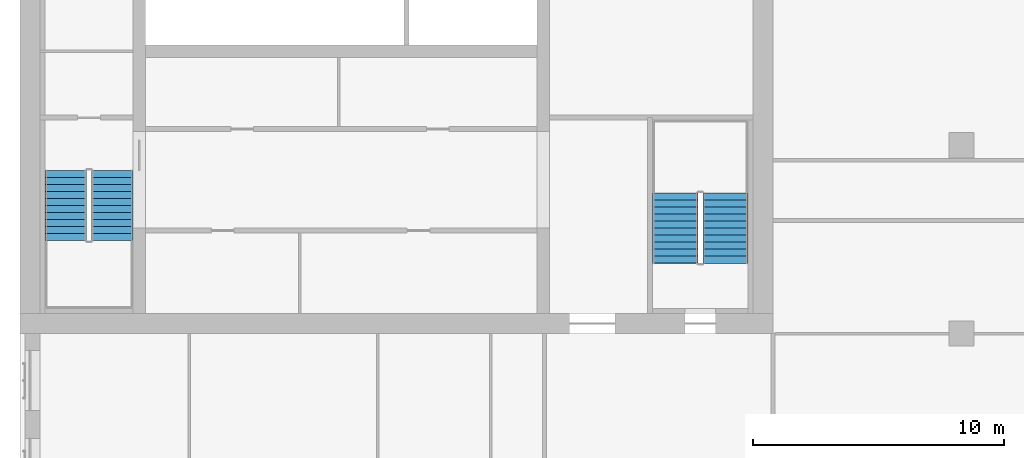
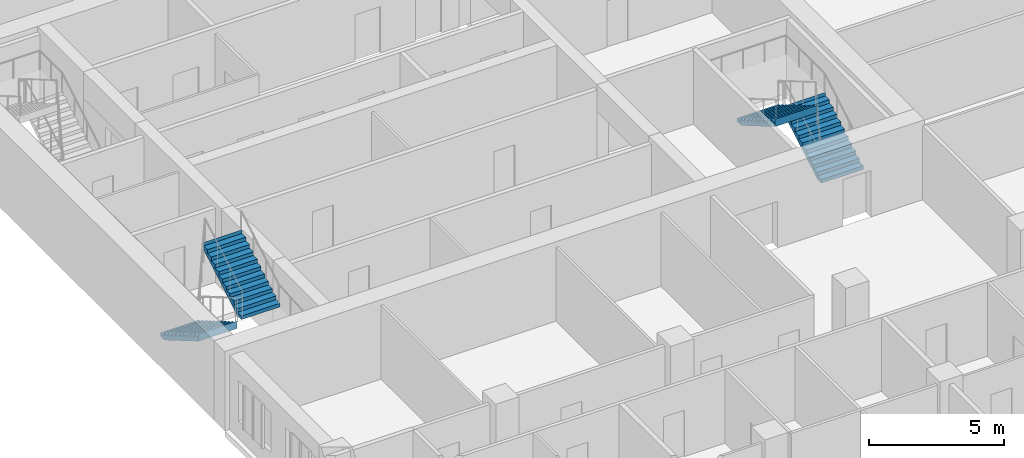
# One storey, part 12 of 14: 4 stair flights, 2 elements without a shape of their own.
"""IFC4 building model written with IfcOpenShell, lengths in metres."""

import ifcopenshell
import ifcopenshell.guid

model = None  # the IFC model being written
_history = None  # IfcOwnerHistory: only IFC2X3 demands one
_inside = {}  # id of a spatial element -> (the spatial element, [elements in it])
_under = {}  # id of a project, library or spatial element -> (it, [spatial elements below it])
_declared = {}  # id of a project -> (the project, [libraries it declares])
_typed = {}  # id of a type object -> (the type object, [elements of that type])
_made_of = {}  # id of a material, layer set ... -> (it, [elements and type objects made of it])


def new_model(schema):
    """Start an empty IFC model of exactly this schema.

    Asked for "IFC4X3", IfcOpenShell would pick the latest addendum, in which some entities
    have other attributes; the version numbers below select the first issue.
    IFC2X3 requires an IfcOwnerHistory on every rooted entity: one is made here for all.
    """
    global model, _history
    if schema == "IFC4X3":
        model = ifcopenshell.file(schema_version=(4, 3, 0, 0))
    else:
        model = ifcopenshell.file(schema=schema)
    _inside.clear()
    _under.clear()
    _declared.clear()
    _typed.clear()
    _made_of.clear()
    _history = None
    if model.schema == "IFC2X3":
        org = make("IfcOrganization", Name="unknown")
        user = make(
            "IfcPersonAndOrganization",
            ThePerson=make("IfcPerson", FamilyName="unknown"),
            TheOrganization=org,
        )
        app = make(
            "IfcApplication",
            ApplicationDeveloper=org,
            Version="unknown",
            ApplicationFullName="unknown",
            ApplicationIdentifier="unknown",
        )
        _history = make(
            "IfcOwnerHistory",
            OwningUser=user,
            OwningApplication=app,
            ChangeAction="ADDED",
            CreationDate=0,
        )
    return model


def make(cls, **values):
    """One entity of the class cls with the attributes given. An attribute that is None is left unset."""
    return model.create_entity(
        cls, **{name: value for name, value in values.items() if value is not None}
    )


def rooted(cls, **values):
    """An entity with a GlobalId (a new one), such as an element, a storey or a relation."""
    return make(cls, GlobalId=ifcopenshell.guid.new(), OwnerHistory=_history, **values)


def si_unit(unit_type, name, prefix=None):
    """IfcSIUnit, for example si_unit("LENGTHUNIT", "METRE", prefix="MILLI")."""
    return make("IfcSIUnit", UnitType=unit_type, Prefix=prefix, Name=name)


def assignment(units):
    """IfcUnitAssignment: the units of a project."""
    return None if units is None else make("IfcUnitAssignment", Units=units)


def point(xyz):
    """IfcCartesianPoint."""
    return None if xyz is None else make("IfcCartesianPoint", Coordinates=xyz)


def direction(xyz):
    """IfcDirection."""
    return None if xyz is None else make("IfcDirection", DirectionRatios=xyz)


def frame(location, z_axis=None, x_axis=None):
    """IfcAxis2Placement3D, a coordinate frame: its origin and axes. An axis left out is left unset."""
    return make(
        "IfcAxis2Placement3D",
        Location=point(location),
        Axis=direction(z_axis),
        RefDirection=direction(x_axis),
    )


def origin():
    """The frame at (0, 0, 0) with its axes left unset."""
    return frame((0.0, 0.0, 0.0))


def place(relative_to, where):
    """IfcLocalPlacement: puts the frame where relative to a parent placement (None: the world)."""
    return make(
        "IfcLocalPlacement", PlacementRelTo=relative_to, RelativePlacement=where
    )


def context(
    kind, dimensions, precision=None, world=None, true_north=None, identifier=None
):
    """IfcGeometricRepresentationContext, for example the 3D "Model" context."""
    return make(
        "IfcGeometricRepresentationContext",
        ContextIdentifier=identifier,
        ContextType=kind,
        CoordinateSpaceDimension=dimensions,
        Precision=precision,
        WorldCoordinateSystem=world,
        TrueNorth=true_north,
    )


def subcontext(parent, identifier, kind, view, scale=None):
    """IfcGeometricRepresentationSubContext, for example "Body" below "Model"."""
    return make(
        "IfcGeometricRepresentationSubContext",
        ContextIdentifier=identifier,
        ContextType=kind,
        ParentContext=parent,
        TargetScale=scale,
        TargetView=view,
    )


def project(units=None, contexts=None):
    """IfcProject with its units and contexts."""
    return rooted(
        "IfcProject",
        Name="project",
        RepresentationContexts=contexts,
        UnitsInContext=assignment(units),
    )


def spatial(cls, under=None, at=None, **own):
    """A site, building, storey or space (cls), placed at a placement, below another one or the project."""
    s = rooted(cls, ObjectPlacement=at, **own)
    if under is not None:
        _under.setdefault(under.id(), (under, []))[1].append(s)
    return s


def polyline(points):
    """IfcPolyline through the points."""
    return make("IfcPolyline", Points=[point(p) for p in points])


def outline(outer, holes=None, kind="AREA"):
    """IfcArbitraryClosedProfileDef: a profile drawn as a closed curve; with holes, ...WithVoids."""
    if holes is None:
        return make("IfcArbitraryClosedProfileDef", ProfileType=kind, OuterCurve=outer)
    return make(
        "IfcArbitraryProfileDefWithVoids",
        ProfileType=kind,
        OuterCurve=outer,
        InnerCurves=holes,
    )


def extrude(swept, where, along, depth):
    """IfcExtrudedAreaSolid: the profile swept, set in the frame where, extruded along a direction by depth."""
    return make(
        "IfcExtrudedAreaSolid",
        SweptArea=swept,
        Position=where,
        ExtrudedDirection=direction(along),
        Depth=depth,
    )


def shape(context_of_items, identifier, shape_type, items):
    """IfcShapeRepresentation: the items that make up one representation, for example the "Body"."""
    return make(
        "IfcShapeRepresentation",
        ContextOfItems=context_of_items,
        RepresentationIdentifier=identifier,
        RepresentationType=shape_type,
        Items=items,
    )


def material(Name=None, Category=None):
    """IfcMaterial."""
    return make("IfcMaterial", Name=Name, Category=Category)


def made_of(thing, what):
    """Note that an element or type object is made of a material, layer set ...; save() writes the relation."""
    if what is not None:
        _made_of.setdefault(what.id(), (what, []))[1].append(thing)
    return thing


def type_object(cls, material=None, **own):
    """A type object (cls), such as IfcWallType, which elements share."""
    return made_of(rooted(cls, **own), material)


def element(
    cls,
    number,
    at=None,
    inside=None,
    cuts=None,
    type_object=None,
    material=None,
    context=None,
    identifier="Body",
    shape_type=None,
    held_by="IfcProductDefinitionShape",
    body=None,
    shapes=None,
    **own,
):
    """One element of the class cls, such as IfcWall. Its Tag is "e" and its number.

    at: its placement. inside: the storey or other place that contains it. cuts: it is an
    opening in that element (IfcRelVoidsElement). A single representation is given by context,
    identifier, shape_type and body (its items); several are given by shapes. held_by: the class
    of the entity that holds the representations. save() writes the other relations.
    """
    e = rooted(cls, Tag="e%d" % number, ObjectPlacement=at, **own)
    if body is not None:
        shapes = [shape(context, identifier, shape_type, body)]
    if shapes is not None:
        e.Representation = make(held_by, Representations=shapes)
    if inside is not None:
        _inside.setdefault(inside.id(), (inside, []))[1].append(e)
    if cuts is not None:
        rooted(
            "IfcRelVoidsElement", RelatingBuildingElement=cuts, RelatedOpeningElement=e
        )
    if type_object is not None:
        _typed.setdefault(type_object.id(), (type_object, []))[1].append(e)
    return made_of(e, material)


def aggregate(whole, parts):
    """IfcRelAggregates: a whole, such as a stair, and the parts it consists of."""
    return rooted("IfcRelAggregates", RelatingObject=whole, RelatedObjects=parts)


def save(model, path):
    """Write the relations noted so far, then the file.

    IfcRelAggregates (storeys below a building ...), IfcRelContainedInSpatialStructure (elements
    in a storey), IfcRelDefinesByType, IfcRelAssociatesMaterial and IfcRelDeclares: one each for
    every whole, place, type object, material and project.
    """
    for whole, parts in _under.values():
        aggregate(whole, parts)
    for where, things in _inside.values():
        rooted(
            "IfcRelContainedInSpatialStructure",
            RelatedElements=things,
            RelatingStructure=where,
        )
    for kind, things in _typed.values():
        rooted("IfcRelDefinesByType", RelatedObjects=things, RelatingType=kind)
    for what, things in _made_of.values():
        rooted("IfcRelAssociatesMaterial", RelatedObjects=things, RelatingMaterial=what)
    for by, libraries in _declared.values():
        rooted("IfcRelDeclares", RelatingContext=by, RelatedDefinitions=libraries)
    model.write(path)


model = new_model("IFC4")

# Units and contexts
model_context = context("Model", 3, precision=1e-05, world=origin(), true_north=direction((0.0, 1.0)))
body_context = subcontext(model_context, "Body", "Model", "MODEL_VIEW")
ifc_project = project(units=[si_unit("LENGTHUNIT", "METRE"), si_unit("AREAUNIT", "SQUARE_METRE"), si_unit("VOLUMEUNIT", "CUBIC_METRE"), si_unit("PLANEANGLEUNIT", "RADIAN"), si_unit("MASSUNIT", "GRAM", prefix="KILO")], contexts=[model_context])

# Site, building, storey
site_placement = place(None, origin())
site = spatial("IfcSite", under=ifc_project, at=site_placement, CompositionType="ELEMENT")
building_placement = place(site_placement, origin())
building = spatial("IfcBuilding", under=site, at=building_placement, Name="Tamorin Gate", CompositionType="ELEMENT")
storey_placement = place(building_placement, frame((0.0, 0.0, 151.800048828125)))
storey = spatial("IfcBuildingStorey", under=building, at=storey_placement, Name="L37", CompositionType="ELEMENT", Elevation=151.800048828125)

# Stair, stair flights
ifc_material = material(Name="Concrete C40/50", Category="concrete")
stair_type = type_object("IfcStairType", Name="Exit stair", PredefinedType="HALF_TURN_STAIR", material=ifc_material)
stair_1_placement = place(storey_placement, origin())
stair_1 = element("IfcStair", 1, at=stair_1_placement, inside=storey, type_object=stair_type, Name="L37 stair ST1", PredefinedType="HALF_TURN_STAIR")
stair_flight_type = type_object("IfcStairFlightType", Name="Exit stair flight", PredefinedType="STRAIGHT", material=ifc_material)
stair_flight_1_placement = place(storey_placement, frame((31.824951171875, 66.5, 0.0), z_axis=(0.0, 0.0, 1.0), x_axis=(0.0, -1.0, 0.0)))
stair_flight_1 = element("IfcStairFlight", 2, at=stair_flight_1_placement, type_object=stair_flight_type, Name="ST1 flight 1", NumberOfRisers=11, NumberOfTreads=10, PredefinedType="STRAIGHT", RiserHeight=0.163636364, TreadLength=0.28, context=body_context, shape_type="SweptSolid", body=[
    extrude(outline(polyline([(-0.00048828125, 0.0), (-0.00048828125, 0.001708984375), (-0.00048828125, 0.003173828125), (-0.00048828125, 0.0048828125), (-0.00048828125, 0.006591796875), (-0.00048828125, 0.008056640625), (-0.00048828125, 0.009765625), (-0.00048828125, 0.01123046875), (-0.00048828125, 0.012939453125), (-0.00048828125, 0.0146484375), (-0.00048828125, 0.01611328125), (-0.00048828125, 0.017822265625), (-0.00048828125, 0.01953125), (-0.00048828125, 0.02099609375), (-0.00048828125, 0.022705078125), (-0.00048828125, 0.0244140625), (-0.00048828125, 0.02587890625), (-0.00048828125, 0.027587890625), (-0.00048828125, 0.029052734375), (-0.00048828125, 0.03076171875), (-0.00048828125, 0.032470703125), (-0.00048828125, 0.033935546875), (-0.00048828125, 0.03564453125), (-0.00048828125, 0.037353515625), (-0.00048828125, 0.038818359375), (-0.00048828125, 0.04052734375), (-0.00048828125, 0.042236328125), (-0.00048828125, 0.043701171875), (-0.00048828125, 0.04541015625), (-0.00048828125, 0.046875), (-0.00048828125, 0.048583984375), (-0.00048828125, 0.05029296875), (-0.00048828125, 0.0517578125), (-0.00048828125, 0.053466796875), (-0.00048828125, 0.05517578125), (-0.00048828125, 0.056640625), (-0.00048828125, 0.058349609375), (-0.00048828125, 0.06005859375), (-0.00048828125, 0.0615234375), (-0.00048828125, 0.063232421875), (-0.00048828125, 0.064697265625), (-0.00048828125, 0.06640625), (-0.00048828125, 0.068115234375), (-0.00048828125, 0.069580078125), (-0.00048828125, 0.0712890625), (-0.00048828125, 0.072998046875), (-0.00048828125, 0.074462890625), (-0.00048828125, 0.076171875), (-0.00048828125, 0.077880859375), (-0.00048828125, 0.079345703125), (-0.00048828125, 0.0810546875), (-0.00048828125, 0.08251953125), (-0.00048828125, 0.084228515625), (-0.00048828125, 0.0859375), (-0.00048828125, 0.08740234375), (-0.00048828125, 0.089111328125), (-0.00048828125, 0.0908203125), (-0.00048828125, 0.09228515625), (-0.00048828125, 0.093994140625), (-0.00048828125, 0.095703125), (-0.00048828125, 0.09716796875), (-0.00048828125, 0.098876953125), (-0.00048828125, 0.100341796875), (-0.00048828125, 0.10205078125), (-0.00048828125, 0.103759765625), (-0.00048828125, 0.105224609375), (-0.00048828125, 0.10693359375), (-0.00048828125, 0.108642578125), (-0.00048828125, 0.110107421875), (-0.00048828125, 0.11181640625), (-0.00048828125, 0.113525390625), (-0.00048828125, 0.114990234375), (-0.00048828125, 0.11669921875), (-0.00048828125, 0.1181640625), (-0.00048828125, 0.119873046875), (-0.00048828125, 0.12158203125), (-0.00048828125, 0.123046875), (-0.00048828125, 0.124755859375), (-0.00048828125, 0.12646484375), (-0.00048828125, 0.1279296875), (-0.00048828125, 0.129638671875), (-0.00048828125, 0.13134765625), (-0.00048828125, 0.1328125), (-0.00048828125, 0.134521484375), (-0.00048828125, 0.135986328125), (-0.00048828125, 0.1376953125), (-0.00048828125, 0.139404296875), (-0.00048828125, 0.140869140625), (-0.00048828125, 0.142578125), (-0.00048828125, 0.144287109375), (-0.00048828125, 0.145751953125), (-0.00048828125, 0.1474609375), (-0.00048828125, 0.149169921875), (-0.00048828125, 0.150634765625), (-0.00048828125, 0.15234375), (-0.00048828125, 0.15380859375), (-0.00048828125, 0.155517578125), (-0.00048828125, 0.1572265625), (-0.00048828125, 0.15869140625), (-0.00048828125, 0.160400390625), (-0.00048828125, 0.162109375), (-0.00048828125, 0.16357421875), (0.280029296875, 0.16357421875), (0.280029296875, 0.327392578125), (0.56005859375, 0.327392578125), (0.56005859375, 0.490966796875), (0.840087890625, 0.490966796875), (0.840087890625, 0.654541015625), (1.1201171875, 0.654541015625), (1.1201171875, 0.818115234375), (1.39990234375, 0.818115234375), (1.39990234375, 0.98193359375), (1.679931640625, 0.98193359375), (1.679931640625, 1.1455078125), (1.9599609375, 1.1455078125), (1.9599609375, 1.30908203125), (2.239990234375, 1.30908203125), (2.239990234375, 1.47265625), (2.52001953125, 1.47265625), (2.52001953125, 1.636474609375), (2.800048828125, 1.636474609375), (2.800048828125, 1.800048828125), (2.800537109375, 1.800048828125), (2.800537109375, 1.796630859375), (2.800537109375, 1.793212890625), (2.800537109375, 1.7900390625), (2.800537109375, 1.78662109375), (2.800537109375, 1.783203125), (2.800537109375, 1.780029296875), (2.800537109375, 1.776611328125), (2.800537109375, 1.773193359375), (2.800537109375, 1.77001953125), (2.800537109375, 1.7666015625), (2.800537109375, 1.76318359375), (2.800537109375, 1.760009765625), (2.800537109375, 1.756591796875), (2.800537109375, 1.753173828125), (2.800537109375, 1.75), (2.800537109375, 1.74658203125), (2.800537109375, 1.7431640625), (2.800537109375, 1.739990234375), (2.800537109375, 1.736572265625), (2.800537109375, 1.733154296875), (2.800537109375, 1.72998046875), (2.800537109375, 1.7265625), (2.800537109375, 1.72314453125), (2.800537109375, 1.719970703125), (2.800537109375, 1.716552734375), (2.800537109375, 1.713134765625), (2.800537109375, 1.7099609375), (2.800537109375, 1.70654296875), (2.800537109375, 1.703125), (2.800537109375, 1.69970703125), (2.800537109375, 1.696533203125), (2.800537109375, 1.693115234375), (2.800537109375, 1.689697265625), (2.800537109375, 1.6865234375), (2.800537109375, 1.68310546875), (2.800537109375, 1.6796875), (2.800537109375, 1.676513671875), (2.800537109375, 1.673095703125), (2.800537109375, 1.669677734375), (2.800537109375, 1.66650390625), (2.800537109375, 1.6630859375), (2.800537109375, 1.65966796875), (2.800537109375, 1.656494140625), (2.800537109375, 1.653076171875), (2.800537109375, 1.649658203125), (2.800537109375, 1.646484375), (2.800537109375, 1.64306640625), (2.800537109375, 1.6396484375), (2.800537109375, 1.636474609375), (2.800537109375, 1.633056640625), (2.800537109375, 1.629638671875), (2.800537109375, 1.62646484375), (2.800537109375, 1.623046875), (2.800537109375, 1.61962890625), (2.800537109375, 1.616455078125), (2.800537109375, 1.613037109375), (2.800537109375, 1.609619140625), (2.800537109375, 1.6064453125), (2.800537109375, 1.60302734375), (2.800537109375, 1.599609375), (2.800537109375, 1.59619140625), (2.800537109375, 1.593017578125), (2.800537109375, 1.589599609375), (2.800537109375, 1.586181640625), (2.800537109375, 1.5830078125), (2.800537109375, 1.57958984375), (2.800537109375, 1.576171875), (2.800537109375, 1.572998046875), (2.800537109375, 1.569580078125), (2.800537109375, 1.566162109375), (2.800537109375, 1.56298828125), (2.800537109375, 1.5595703125), (2.800537109375, 1.55615234375), (2.800537109375, 1.552978515625), (2.800537109375, 1.549560546875), (2.800537109375, 1.546142578125), (2.800537109375, 1.54296875), (2.800537109375, 1.53955078125), (2.800537109375, 1.5361328125), (2.800537109375, 1.532958984375), (2.800537109375, 1.529541015625), (2.800537109375, 1.526123046875), (2.800537109375, 1.52294921875), (2.800537109375, 1.51953125), (2.800537109375, 1.51611328125), (2.800537109375, 1.512939453125), (2.800537109375, 1.509521484375), (2.800537109375, 1.506103515625), (2.800537109375, 1.5029296875), (2.800537109375, 1.49951171875), (2.800537109375, 1.49609375), (2.800537109375, 1.49267578125), (2.800537109375, 1.489501953125), (2.800537109375, 1.486083984375), (2.800537109375, 1.482666015625), (2.800537109375, 1.4794921875), (2.800537109375, 1.47607421875), (2.800537109375, 1.47265625), (2.800537109375, 1.469482421875), (2.800537109375, 1.466064453125), (2.800537109375, 1.462646484375), (2.800048828125, 1.462646484375), (0.297119140625, 0.0), (-0.00048828125, 0.0)])), frame((0.0, 0.824951171875, 0.0), z_axis=(0.0, -1.0, 0.0), x_axis=(1.0, 0.0, 0.0)), (0.0, 0.0, 1.0), 1.64990234375),
])
stair_flight_2_placement = place(storey_placement, frame((33.675048828125, 63.699951171875, 1.800048828125), z_axis=(0.0, 0.0, 1.0), x_axis=(0.0, 1.0, 0.0)))
stair_flight_2 = element("IfcStairFlight", 3, at=stair_flight_2_placement, type_object=stair_flight_type, Name="ST1 flight 2", NumberOfRisers=11, NumberOfTreads=10, PredefinedType="STRAIGHT", RiserHeight=0.163636364, TreadLength=0.28, context=body_context, shape_type="SweptSolid", body=[
    extrude(outline(polyline([(-0.00048828125, 0.0), (-0.00048828125, 0.001708984375), (-0.00048828125, 0.003173828125), (-0.00048828125, 0.0048828125), (-0.00048828125, 0.006591796875), (-0.00048828125, 0.008056640625), (-0.00048828125, 0.009765625), (-0.00048828125, 0.01123046875), (-0.00048828125, 0.012939453125), (-0.00048828125, 0.0146484375), (-0.00048828125, 0.01611328125), (-0.00048828125, 0.017822265625), (-0.00048828125, 0.01953125), (-0.00048828125, 0.02099609375), (-0.00048828125, 0.022705078125), (-0.00048828125, 0.0244140625), (-0.00048828125, 0.02587890625), (-0.00048828125, 0.027587890625), (-0.00048828125, 0.029052734375), (-0.00048828125, 0.03076171875), (-0.00048828125, 0.032470703125), (-0.00048828125, 0.033935546875), (-0.00048828125, 0.03564453125), (-0.00048828125, 0.037353515625), (-0.00048828125, 0.038818359375), (-0.00048828125, 0.04052734375), (-0.00048828125, 0.042236328125), (-0.00048828125, 0.043701171875), (-0.00048828125, 0.04541015625), (-0.00048828125, 0.046875), (-0.00048828125, 0.048583984375), (-0.00048828125, 0.05029296875), (-0.00048828125, 0.0517578125), (-0.00048828125, 0.053466796875), (-0.00048828125, 0.05517578125), (-0.00048828125, 0.056640625), (-0.00048828125, 0.058349609375), (-0.00048828125, 0.06005859375), (-0.00048828125, 0.0615234375), (-0.00048828125, 0.063232421875), (-0.00048828125, 0.064697265625), (-0.00048828125, 0.06640625), (-0.00048828125, 0.068115234375), (-0.00048828125, 0.069580078125), (-0.00048828125, 0.0712890625), (-0.00048828125, 0.072998046875), (-0.00048828125, 0.074462890625), (-0.00048828125, 0.076171875), (-0.00048828125, 0.077880859375), (-0.00048828125, 0.079345703125), (-0.00048828125, 0.0810546875), (-0.00048828125, 0.08251953125), (-0.00048828125, 0.084228515625), (-0.00048828125, 0.0859375), (-0.00048828125, 0.08740234375), (-0.00048828125, 0.089111328125), (-0.00048828125, 0.0908203125), (-0.00048828125, 0.09228515625), (-0.00048828125, 0.093994140625), (-0.00048828125, 0.095703125), (-0.00048828125, 0.09716796875), (-0.00048828125, 0.098876953125), (-0.00048828125, 0.100341796875), (-0.00048828125, 0.10205078125), (-0.00048828125, 0.103759765625), (-0.00048828125, 0.105224609375), (-0.00048828125, 0.10693359375), (-0.00048828125, 0.108642578125), (-0.00048828125, 0.110107421875), (-0.00048828125, 0.11181640625), (-0.00048828125, 0.113525390625), (-0.00048828125, 0.114990234375), (-0.00048828125, 0.11669921875), (-0.00048828125, 0.1181640625), (-0.00048828125, 0.119873046875), (-0.00048828125, 0.12158203125), (-0.00048828125, 0.123046875), (-0.00048828125, 0.124755859375), (-0.00048828125, 0.12646484375), (-0.00048828125, 0.1279296875), (-0.00048828125, 0.129638671875), (-0.00048828125, 0.13134765625), (-0.00048828125, 0.1328125), (-0.00048828125, 0.134521484375), (-0.00048828125, 0.135986328125), (-0.00048828125, 0.1376953125), (-0.00048828125, 0.139404296875), (-0.00048828125, 0.140869140625), (-0.00048828125, 0.142578125), (-0.00048828125, 0.144287109375), (-0.00048828125, 0.145751953125), (-0.00048828125, 0.1474609375), (-0.00048828125, 0.149169921875), (-0.00048828125, 0.150634765625), (-0.00048828125, 0.15234375), (-0.00048828125, 0.15380859375), (-0.00048828125, 0.155517578125), (-0.00048828125, 0.1572265625), (-0.00048828125, 0.15869140625), (-0.00048828125, 0.160400390625), (-0.00048828125, 0.162109375), (-0.00048828125, 0.16357421875), (0.280029296875, 0.16357421875), (0.280029296875, 0.327392578125), (0.56005859375, 0.327392578125), (0.56005859375, 0.490966796875), (0.840087890625, 0.490966796875), (0.840087890625, 0.654541015625), (1.1201171875, 0.654541015625), (1.1201171875, 0.818115234375), (1.39990234375, 0.818115234375), (1.39990234375, 0.98193359375), (1.679931640625, 0.98193359375), (1.679931640625, 1.1455078125), (1.9599609375, 1.1455078125), (1.9599609375, 1.30908203125), (2.239990234375, 1.30908203125), (2.239990234375, 1.47265625), (2.52001953125, 1.47265625), (2.52001953125, 1.636474609375), (2.800048828125, 1.636474609375), (2.800048828125, 1.800048828125), (2.800537109375, 1.800048828125), (2.800537109375, 1.796630859375), (2.800537109375, 1.793212890625), (2.800537109375, 1.7900390625), (2.800537109375, 1.78662109375), (2.800537109375, 1.783203125), (2.800537109375, 1.780029296875), (2.800537109375, 1.776611328125), (2.800537109375, 1.773193359375), (2.800537109375, 1.77001953125), (2.800537109375, 1.7666015625), (2.800537109375, 1.76318359375), (2.800537109375, 1.760009765625), (2.800537109375, 1.756591796875), (2.800537109375, 1.753173828125), (2.800537109375, 1.75), (2.800537109375, 1.74658203125), (2.800537109375, 1.7431640625), (2.800537109375, 1.739990234375), (2.800537109375, 1.736572265625), (2.800537109375, 1.733154296875), (2.800537109375, 1.72998046875), (2.800537109375, 1.7265625), (2.800537109375, 1.72314453125), (2.800537109375, 1.719970703125), (2.800537109375, 1.716552734375), (2.800537109375, 1.713134765625), (2.800537109375, 1.7099609375), (2.800537109375, 1.70654296875), (2.800537109375, 1.703125), (2.800537109375, 1.69970703125), (2.800537109375, 1.696533203125), (2.800537109375, 1.693115234375), (2.800537109375, 1.689697265625), (2.800537109375, 1.6865234375), (2.800537109375, 1.68310546875), (2.800537109375, 1.6796875), (2.800537109375, 1.676513671875), (2.800537109375, 1.673095703125), (2.800537109375, 1.669677734375), (2.800537109375, 1.66650390625), (2.800537109375, 1.6630859375), (2.800537109375, 1.65966796875), (2.800537109375, 1.656494140625), (2.800537109375, 1.653076171875), (2.800537109375, 1.649658203125), (2.800537109375, 1.646484375), (2.800537109375, 1.64306640625), (2.800537109375, 1.6396484375), (2.800537109375, 1.636474609375), (2.800537109375, 1.633056640625), (2.800537109375, 1.629638671875), (2.800537109375, 1.62646484375), (2.800537109375, 1.623046875), (2.800537109375, 1.61962890625), (2.800537109375, 1.616455078125), (2.800537109375, 1.613037109375), (2.800537109375, 1.609619140625), (2.800537109375, 1.6064453125), (2.800537109375, 1.60302734375), (2.800537109375, 1.599609375), (2.800537109375, 1.59619140625), (2.800537109375, 1.593017578125), (2.800537109375, 1.589599609375), (2.800537109375, 1.586181640625), (2.800537109375, 1.5830078125), (2.800537109375, 1.57958984375), (2.800537109375, 1.576171875), (2.800537109375, 1.572998046875), (2.800537109375, 1.569580078125), (2.800537109375, 1.566162109375), (2.800537109375, 1.56298828125), (2.800537109375, 1.5595703125), (2.800537109375, 1.55615234375), (2.800537109375, 1.552978515625), (2.800537109375, 1.549560546875), (2.800537109375, 1.546142578125), (2.800537109375, 1.54296875), (2.800537109375, 1.53955078125), (2.800537109375, 1.5361328125), (2.800537109375, 1.532958984375), (2.800537109375, 1.529541015625), (2.800537109375, 1.526123046875), (2.800537109375, 1.52294921875), (2.800537109375, 1.51953125), (2.800537109375, 1.51611328125), (2.800537109375, 1.512939453125), (2.800537109375, 1.509521484375), (2.800537109375, 1.506103515625), (2.800537109375, 1.5029296875), (2.800537109375, 1.49951171875), (2.800537109375, 1.49609375), (2.800537109375, 1.49267578125), (2.800537109375, 1.489501953125), (2.800537109375, 1.486083984375), (2.800537109375, 1.482666015625), (2.800537109375, 1.4794921875), (2.800537109375, 1.47607421875), (2.800537109375, 1.47265625), (2.800537109375, 1.469482421875), (2.800537109375, 1.466064453125), (2.800537109375, 1.462646484375), (2.800048828125, 1.462646484375), (0.297119140625, 0.0), (-0.00048828125, 0.0)])), frame((0.0, 0.824951171875, 0.0), z_axis=(0.0, -1.0, 0.0), x_axis=(1.0, 0.0, 0.0)), (0.0, 0.0, 1.0), 1.64990234375),
])
aggregate(stair_1, [stair_flight_1, stair_flight_2])

stair_2_placement = place(storey_placement, origin())
stair_2 = element("IfcStair", 4, at=stair_2_placement, inside=storey, type_object=stair_type, Name="L37 stair ST3", PredefinedType="HALF_TURN_STAIR")
stair_flight_3_placement = place(storey_placement, frame((58.10009765625, 62.800048828125, 0.0), z_axis=(0.0, 0.0, 1.0), x_axis=(0.0, 1.0, 0.0)))
stair_flight_3 = element("IfcStairFlight", 5, at=stair_flight_3_placement, type_object=stair_flight_type, Name="ST3 flight 1", NumberOfRisers=11, NumberOfTreads=10, PredefinedType="STRAIGHT", RiserHeight=0.163636364, TreadLength=0.28, context=body_context, shape_type="SweptSolid", body=[
    extrude(outline(polyline([(-0.00048828125, 0.0), (-0.00048828125, 0.001708984375), (-0.00048828125, 0.003173828125), (-0.00048828125, 0.0048828125), (-0.00048828125, 0.006591796875), (-0.00048828125, 0.008056640625), (-0.00048828125, 0.009765625), (-0.00048828125, 0.01123046875), (-0.00048828125, 0.012939453125), (-0.00048828125, 0.0146484375), (-0.00048828125, 0.01611328125), (-0.00048828125, 0.017822265625), (-0.00048828125, 0.01953125), (-0.00048828125, 0.02099609375), (-0.00048828125, 0.022705078125), (-0.00048828125, 0.0244140625), (-0.00048828125, 0.02587890625), (-0.00048828125, 0.027587890625), (-0.00048828125, 0.029052734375), (-0.00048828125, 0.03076171875), (-0.00048828125, 0.032470703125), (-0.00048828125, 0.033935546875), (-0.00048828125, 0.03564453125), (-0.00048828125, 0.037353515625), (-0.00048828125, 0.038818359375), (-0.00048828125, 0.04052734375), (-0.00048828125, 0.042236328125), (-0.00048828125, 0.043701171875), (-0.00048828125, 0.04541015625), (-0.00048828125, 0.046875), (-0.00048828125, 0.048583984375), (-0.00048828125, 0.05029296875), (-0.00048828125, 0.0517578125), (-0.00048828125, 0.053466796875), (-0.00048828125, 0.05517578125), (-0.00048828125, 0.056640625), (-0.00048828125, 0.058349609375), (-0.00048828125, 0.06005859375), (-0.00048828125, 0.0615234375), (-0.00048828125, 0.063232421875), (-0.00048828125, 0.064697265625), (-0.00048828125, 0.06640625), (-0.00048828125, 0.068115234375), (-0.00048828125, 0.069580078125), (-0.00048828125, 0.0712890625), (-0.00048828125, 0.072998046875), (-0.00048828125, 0.074462890625), (-0.00048828125, 0.076171875), (-0.00048828125, 0.077880859375), (-0.00048828125, 0.079345703125), (-0.00048828125, 0.0810546875), (-0.00048828125, 0.08251953125), (-0.00048828125, 0.084228515625), (-0.00048828125, 0.0859375), (-0.00048828125, 0.08740234375), (-0.00048828125, 0.089111328125), (-0.00048828125, 0.0908203125), (-0.00048828125, 0.09228515625), (-0.00048828125, 0.093994140625), (-0.00048828125, 0.095703125), (-0.00048828125, 0.09716796875), (-0.00048828125, 0.098876953125), (-0.00048828125, 0.100341796875), (-0.00048828125, 0.10205078125), (-0.00048828125, 0.103759765625), (-0.00048828125, 0.105224609375), (-0.00048828125, 0.10693359375), (-0.00048828125, 0.108642578125), (-0.00048828125, 0.110107421875), (-0.00048828125, 0.11181640625), (-0.00048828125, 0.113525390625), (-0.00048828125, 0.114990234375), (-0.00048828125, 0.11669921875), (-0.00048828125, 0.1181640625), (-0.00048828125, 0.119873046875), (-0.00048828125, 0.12158203125), (-0.00048828125, 0.123046875), (-0.00048828125, 0.124755859375), (-0.00048828125, 0.12646484375), (-0.00048828125, 0.1279296875), (-0.00048828125, 0.129638671875), (-0.00048828125, 0.13134765625), (-0.00048828125, 0.1328125), (-0.00048828125, 0.134521484375), (-0.00048828125, 0.135986328125), (-0.00048828125, 0.1376953125), (-0.00048828125, 0.139404296875), (-0.00048828125, 0.140869140625), (-0.00048828125, 0.142578125), (-0.00048828125, 0.144287109375), (-0.00048828125, 0.145751953125), (-0.00048828125, 0.1474609375), (-0.00048828125, 0.149169921875), (-0.00048828125, 0.150634765625), (-0.00048828125, 0.15234375), (-0.00048828125, 0.15380859375), (-0.00048828125, 0.155517578125), (-0.00048828125, 0.1572265625), (-0.00048828125, 0.15869140625), (-0.00048828125, 0.160400390625), (-0.00048828125, 0.162109375), (-0.00048828125, 0.16357421875), (0.280029296875, 0.16357421875), (0.280029296875, 0.327392578125), (0.56005859375, 0.327392578125), (0.56005859375, 0.490966796875), (0.840087890625, 0.490966796875), (0.840087890625, 0.654541015625), (1.1201171875, 0.654541015625), (1.1201171875, 0.818115234375), (1.39990234375, 0.818115234375), (1.39990234375, 0.98193359375), (1.679931640625, 0.98193359375), (1.679931640625, 1.1455078125), (1.9599609375, 1.1455078125), (1.9599609375, 1.30908203125), (2.239990234375, 1.30908203125), (2.239990234375, 1.47265625), (2.52001953125, 1.47265625), (2.52001953125, 1.636474609375), (2.800048828125, 1.636474609375), (2.800048828125, 1.800048828125), (2.800537109375, 1.800048828125), (2.800537109375, 1.796630859375), (2.800537109375, 1.793212890625), (2.800537109375, 1.7900390625), (2.800537109375, 1.78662109375), (2.800537109375, 1.783203125), (2.800537109375, 1.780029296875), (2.800537109375, 1.776611328125), (2.800537109375, 1.773193359375), (2.800537109375, 1.77001953125), (2.800537109375, 1.7666015625), (2.800537109375, 1.76318359375), (2.800537109375, 1.760009765625), (2.800537109375, 1.756591796875), (2.800537109375, 1.753173828125), (2.800537109375, 1.75), (2.800537109375, 1.74658203125), (2.800537109375, 1.7431640625), (2.800537109375, 1.739990234375), (2.800537109375, 1.736572265625), (2.800537109375, 1.733154296875), (2.800537109375, 1.72998046875), (2.800537109375, 1.7265625), (2.800537109375, 1.72314453125), (2.800537109375, 1.719970703125), (2.800537109375, 1.716552734375), (2.800537109375, 1.713134765625), (2.800537109375, 1.7099609375), (2.800537109375, 1.70654296875), (2.800537109375, 1.703125), (2.800537109375, 1.69970703125), (2.800537109375, 1.696533203125), (2.800537109375, 1.693115234375), (2.800537109375, 1.689697265625), (2.800537109375, 1.6865234375), (2.800537109375, 1.68310546875), (2.800537109375, 1.6796875), (2.800537109375, 1.676513671875), (2.800537109375, 1.673095703125), (2.800537109375, 1.669677734375), (2.800537109375, 1.66650390625), (2.800537109375, 1.6630859375), (2.800537109375, 1.65966796875), (2.800537109375, 1.656494140625), (2.800537109375, 1.653076171875), (2.800537109375, 1.649658203125), (2.800537109375, 1.646484375), (2.800537109375, 1.64306640625), (2.800537109375, 1.6396484375), (2.800537109375, 1.636474609375), (2.800537109375, 1.633056640625), (2.800537109375, 1.629638671875), (2.800537109375, 1.62646484375), (2.800537109375, 1.623046875), (2.800537109375, 1.61962890625), (2.800537109375, 1.616455078125), (2.800537109375, 1.613037109375), (2.800537109375, 1.609619140625), (2.800537109375, 1.6064453125), (2.800537109375, 1.60302734375), (2.800537109375, 1.599609375), (2.800537109375, 1.59619140625), (2.800537109375, 1.593017578125), (2.800537109375, 1.589599609375), (2.800537109375, 1.586181640625), (2.800537109375, 1.5830078125), (2.800537109375, 1.57958984375), (2.800537109375, 1.576171875), (2.800537109375, 1.572998046875), (2.800537109375, 1.569580078125), (2.800537109375, 1.566162109375), (2.800537109375, 1.56298828125), (2.800537109375, 1.5595703125), (2.800537109375, 1.55615234375), (2.800537109375, 1.552978515625), (2.800537109375, 1.549560546875), (2.800537109375, 1.546142578125), (2.800537109375, 1.54296875), (2.800537109375, 1.53955078125), (2.800537109375, 1.5361328125), (2.800537109375, 1.532958984375), (2.800537109375, 1.529541015625), (2.800537109375, 1.526123046875), (2.800537109375, 1.52294921875), (2.800537109375, 1.51953125), (2.800537109375, 1.51611328125), (2.800537109375, 1.512939453125), (2.800537109375, 1.509521484375), (2.800537109375, 1.506103515625), (2.800537109375, 1.5029296875), (2.800537109375, 1.49951171875), (2.800537109375, 1.49609375), (2.800537109375, 1.49267578125), (2.800537109375, 1.489501953125), (2.800537109375, 1.486083984375), (2.800537109375, 1.482666015625), (2.800537109375, 1.4794921875), (2.800537109375, 1.47607421875), (2.800537109375, 1.47265625), (2.800537109375, 1.469482421875), (2.800537109375, 1.466064453125), (2.800537109375, 1.462646484375), (2.800048828125, 1.462646484375), (0.297119140625, 0.0), (-0.00048828125, 0.0)])), frame((0.0, 0.89990234375, 0.0), z_axis=(0.0, -1.0, 0.0), x_axis=(1.0, 0.0, 0.0)), (0.0, 0.0, 1.0), 1.800048828125),
])
stair_flight_4_placement = place(storey_placement, frame((56.10009765625, 65.60009765625, 1.800048828125), z_axis=(0.0, 0.0, 1.0), x_axis=(0.0, -1.0, 0.0)))
stair_flight_4 = element("IfcStairFlight", 6, at=stair_flight_4_placement, type_object=stair_flight_type, Name="ST3 flight 2", NumberOfRisers=11, NumberOfTreads=10, PredefinedType="STRAIGHT", RiserHeight=0.163636364, TreadLength=0.28, context=body_context, shape_type="SweptSolid", body=[
    extrude(outline(polyline([(-0.00048828125, 0.0), (-0.00048828125, 0.001708984375), (-0.00048828125, 0.003173828125), (-0.00048828125, 0.0048828125), (-0.00048828125, 0.006591796875), (-0.00048828125, 0.008056640625), (-0.00048828125, 0.009765625), (-0.00048828125, 0.01123046875), (-0.00048828125, 0.012939453125), (-0.00048828125, 0.0146484375), (-0.00048828125, 0.01611328125), (-0.00048828125, 0.017822265625), (-0.00048828125, 0.01953125), (-0.00048828125, 0.02099609375), (-0.00048828125, 0.022705078125), (-0.00048828125, 0.0244140625), (-0.00048828125, 0.02587890625), (-0.00048828125, 0.027587890625), (-0.00048828125, 0.029052734375), (-0.00048828125, 0.03076171875), (-0.00048828125, 0.032470703125), (-0.00048828125, 0.033935546875), (-0.00048828125, 0.03564453125), (-0.00048828125, 0.037353515625), (-0.00048828125, 0.038818359375), (-0.00048828125, 0.04052734375), (-0.00048828125, 0.042236328125), (-0.00048828125, 0.043701171875), (-0.00048828125, 0.04541015625), (-0.00048828125, 0.046875), (-0.00048828125, 0.048583984375), (-0.00048828125, 0.05029296875), (-0.00048828125, 0.0517578125), (-0.00048828125, 0.053466796875), (-0.00048828125, 0.05517578125), (-0.00048828125, 0.056640625), (-0.00048828125, 0.058349609375), (-0.00048828125, 0.06005859375), (-0.00048828125, 0.0615234375), (-0.00048828125, 0.063232421875), (-0.00048828125, 0.064697265625), (-0.00048828125, 0.06640625), (-0.00048828125, 0.068115234375), (-0.00048828125, 0.069580078125), (-0.00048828125, 0.0712890625), (-0.00048828125, 0.072998046875), (-0.00048828125, 0.074462890625), (-0.00048828125, 0.076171875), (-0.00048828125, 0.077880859375), (-0.00048828125, 0.079345703125), (-0.00048828125, 0.0810546875), (-0.00048828125, 0.08251953125), (-0.00048828125, 0.084228515625), (-0.00048828125, 0.0859375), (-0.00048828125, 0.08740234375), (-0.00048828125, 0.089111328125), (-0.00048828125, 0.0908203125), (-0.00048828125, 0.09228515625), (-0.00048828125, 0.093994140625), (-0.00048828125, 0.095703125), (-0.00048828125, 0.09716796875), (-0.00048828125, 0.098876953125), (-0.00048828125, 0.100341796875), (-0.00048828125, 0.10205078125), (-0.00048828125, 0.103759765625), (-0.00048828125, 0.105224609375), (-0.00048828125, 0.10693359375), (-0.00048828125, 0.108642578125), (-0.00048828125, 0.110107421875), (-0.00048828125, 0.11181640625), (-0.00048828125, 0.113525390625), (-0.00048828125, 0.114990234375), (-0.00048828125, 0.11669921875), (-0.00048828125, 0.1181640625), (-0.00048828125, 0.119873046875), (-0.00048828125, 0.12158203125), (-0.00048828125, 0.123046875), (-0.00048828125, 0.124755859375), (-0.00048828125, 0.12646484375), (-0.00048828125, 0.1279296875), (-0.00048828125, 0.129638671875), (-0.00048828125, 0.13134765625), (-0.00048828125, 0.1328125), (-0.00048828125, 0.134521484375), (-0.00048828125, 0.135986328125), (-0.00048828125, 0.1376953125), (-0.00048828125, 0.139404296875), (-0.00048828125, 0.140869140625), (-0.00048828125, 0.142578125), (-0.00048828125, 0.144287109375), (-0.00048828125, 0.145751953125), (-0.00048828125, 0.1474609375), (-0.00048828125, 0.149169921875), (-0.00048828125, 0.150634765625), (-0.00048828125, 0.15234375), (-0.00048828125, 0.15380859375), (-0.00048828125, 0.155517578125), (-0.00048828125, 0.1572265625), (-0.00048828125, 0.15869140625), (-0.00048828125, 0.160400390625), (-0.00048828125, 0.162109375), (-0.00048828125, 0.16357421875), (0.280029296875, 0.16357421875), (0.280029296875, 0.327392578125), (0.56005859375, 0.327392578125), (0.56005859375, 0.490966796875), (0.840087890625, 0.490966796875), (0.840087890625, 0.654541015625), (1.1201171875, 0.654541015625), (1.1201171875, 0.818115234375), (1.39990234375, 0.818115234375), (1.39990234375, 0.98193359375), (1.679931640625, 0.98193359375), (1.679931640625, 1.1455078125), (1.9599609375, 1.1455078125), (1.9599609375, 1.30908203125), (2.239990234375, 1.30908203125), (2.239990234375, 1.47265625), (2.52001953125, 1.47265625), (2.52001953125, 1.636474609375), (2.800048828125, 1.636474609375), (2.800048828125, 1.800048828125), (2.800537109375, 1.800048828125), (2.800537109375, 1.796630859375), (2.800537109375, 1.793212890625), (2.800537109375, 1.7900390625), (2.800537109375, 1.78662109375), (2.800537109375, 1.783203125), (2.800537109375, 1.780029296875), (2.800537109375, 1.776611328125), (2.800537109375, 1.773193359375), (2.800537109375, 1.77001953125), (2.800537109375, 1.7666015625), (2.800537109375, 1.76318359375), (2.800537109375, 1.760009765625), (2.800537109375, 1.756591796875), (2.800537109375, 1.753173828125), (2.800537109375, 1.75), (2.800537109375, 1.74658203125), (2.800537109375, 1.7431640625), (2.800537109375, 1.739990234375), (2.800537109375, 1.736572265625), (2.800537109375, 1.733154296875), (2.800537109375, 1.72998046875), (2.800537109375, 1.7265625), (2.800537109375, 1.72314453125), (2.800537109375, 1.719970703125), (2.800537109375, 1.716552734375), (2.800537109375, 1.713134765625), (2.800537109375, 1.7099609375), (2.800537109375, 1.70654296875), (2.800537109375, 1.703125), (2.800537109375, 1.69970703125), (2.800537109375, 1.696533203125), (2.800537109375, 1.693115234375), (2.800537109375, 1.689697265625), (2.800537109375, 1.6865234375), (2.800537109375, 1.68310546875), (2.800537109375, 1.6796875), (2.800537109375, 1.676513671875), (2.800537109375, 1.673095703125), (2.800537109375, 1.669677734375), (2.800537109375, 1.66650390625), (2.800537109375, 1.6630859375), (2.800537109375, 1.65966796875), (2.800537109375, 1.656494140625), (2.800537109375, 1.653076171875), (2.800537109375, 1.649658203125), (2.800537109375, 1.646484375), (2.800537109375, 1.64306640625), (2.800537109375, 1.6396484375), (2.800537109375, 1.636474609375), (2.800537109375, 1.633056640625), (2.800537109375, 1.629638671875), (2.800537109375, 1.62646484375), (2.800537109375, 1.623046875), (2.800537109375, 1.61962890625), (2.800537109375, 1.616455078125), (2.800537109375, 1.613037109375), (2.800537109375, 1.609619140625), (2.800537109375, 1.6064453125), (2.800537109375, 1.60302734375), (2.800537109375, 1.599609375), (2.800537109375, 1.59619140625), (2.800537109375, 1.593017578125), (2.800537109375, 1.589599609375), (2.800537109375, 1.586181640625), (2.800537109375, 1.5830078125), (2.800537109375, 1.57958984375), (2.800537109375, 1.576171875), (2.800537109375, 1.572998046875), (2.800537109375, 1.569580078125), (2.800537109375, 1.566162109375), (2.800537109375, 1.56298828125), (2.800537109375, 1.5595703125), (2.800537109375, 1.55615234375), (2.800537109375, 1.552978515625), (2.800537109375, 1.549560546875), (2.800537109375, 1.546142578125), (2.800537109375, 1.54296875), (2.800537109375, 1.53955078125), (2.800537109375, 1.5361328125), (2.800537109375, 1.532958984375), (2.800537109375, 1.529541015625), (2.800537109375, 1.526123046875), (2.800537109375, 1.52294921875), (2.800537109375, 1.51953125), (2.800537109375, 1.51611328125), (2.800537109375, 1.512939453125), (2.800537109375, 1.509521484375), (2.800537109375, 1.506103515625), (2.800537109375, 1.5029296875), (2.800537109375, 1.49951171875), (2.800537109375, 1.49609375), (2.800537109375, 1.49267578125), (2.800537109375, 1.489501953125), (2.800537109375, 1.486083984375), (2.800537109375, 1.482666015625), (2.800537109375, 1.4794921875), (2.800537109375, 1.47607421875), (2.800537109375, 1.47265625), (2.800537109375, 1.469482421875), (2.800537109375, 1.466064453125), (2.800537109375, 1.462646484375), (2.800048828125, 1.462646484375), (0.297119140625, 0.0), (-0.00048828125, 0.0)])), frame((0.0, 0.89990234375, 0.0), z_axis=(0.0, -1.0, 0.0), x_axis=(1.0, 0.0, 0.0)), (0.0, 0.0, 1.0), 1.800048828125),
])
aggregate(stair_2, [stair_flight_3, stair_flight_4])

save(model, "model.ifc")
